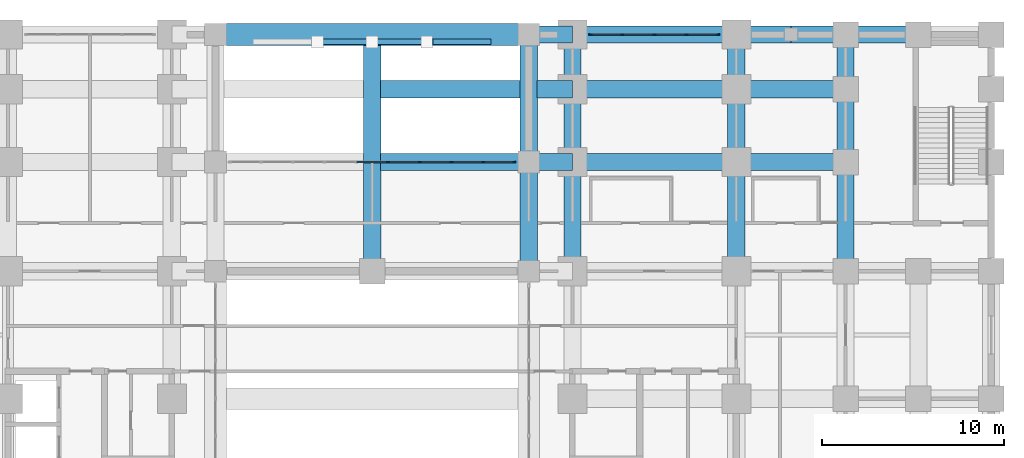
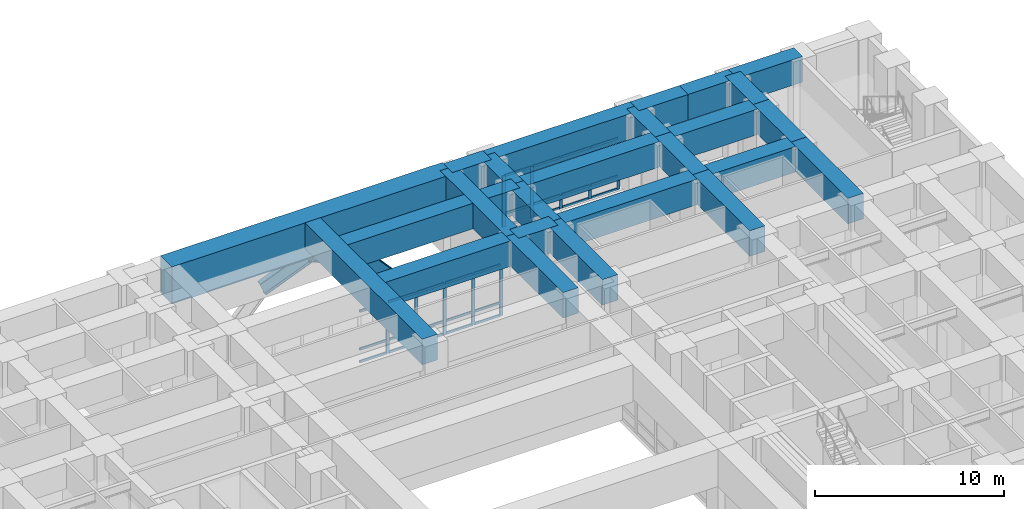
# One storey, part 8 of 24: 40 members, 26 beams, 2 elements without a shape of their own.
"""IFC4 building model written with IfcOpenShell, lengths in metres."""

from ifc_helpers import new_model, si_unit, direction, frame, origin, origin_2d, place, context, subcontext, project, spatial, rectangle, i_section, extrude, material, material_profile, profile_set, type_object, element, aggregate, save


model = new_model("IFC4")

# Units and contexts
model_context = context("Model", 3, precision=1e-05, world=origin(), true_north=direction((0.0, 1.0)))
body_context = subcontext(model_context, "Body", "Model", "MODEL_VIEW")
ifc_project = project(units=[si_unit("LENGTHUNIT", "METRE"), si_unit("AREAUNIT", "SQUARE_METRE"), si_unit("VOLUMEUNIT", "CUBIC_METRE"), si_unit("PLANEANGLEUNIT", "RADIAN"), si_unit("MASSUNIT", "GRAM", prefix="KILO")], contexts=[model_context])

# Site, building, storey
site_placement = place(None, origin())
site = spatial("IfcSite", under=ifc_project, at=site_placement, CompositionType="ELEMENT")
building_placement = place(site_placement, origin())
building = spatial("IfcBuilding", under=site, at=building_placement, Name="Zulmaris Gate Convention Tower", CompositionType="ELEMENT")
storey_placement = place(building_placement, frame((0.0, 0.0, 16.320068359375)))
storey = spatial("IfcBuildingStorey", under=building, at=storey_placement, Name="L03", CompositionType="ELEMENT", Elevation=16.320068359375)

# Beams
ifc_material_1 = material(Name="Concrete C80/95", Category="concrete")
ifc_material_profile_1 = material_profile(ifc_material_1, rectangle(XDim=0.949951171875, YDim=1.64990234375, at=origin_2d()), Name="RC TRANSFER 950x1650")
ifc_profile_set_1 = profile_set([ifc_material_profile_1], Name="Concrete C80/95")
beam_type_1 = type_object("IfcBeamType", Name="BM-XFER1650", PredefinedType="BEAM", material=ifc_profile_set_1)
beam_1_placement = place(storey_placement, frame((8.60009765625, 29.0, 4.1650390625), z_axis=(1.0, 0.0, 0.0), x_axis=(0.0, 1.0, 0.0)))
element("IfcBeam", 1, at=beam_1_placement, inside=storey, type_object=beam_type_1, Name="L03 Beam XFRNGX-L03-+29.0-8", PredefinedType="BEAM", context=body_context, shape_type="SweptSolid", body=[
    extrude(rectangle(XDim=0.949951171875, YDim=1.64990234375, at=origin_2d()), origin(), (0.0, 0.0, 1.0), 2.39990234375),
])
beam_2_placement = place(storey_placement, frame((11.0, 29.0, 4.1650390625), z_axis=(1.0, 0.0, 0.0), x_axis=(0.0, 1.0, 0.0)))
element("IfcBeam", 2, at=beam_2_placement, inside=storey, type_object=beam_type_1, Name="L03 Beam XFRNGX-L03-+29.0-9", PredefinedType="BEAM", context=body_context, shape_type="SweptSolid", body=[
    extrude(rectangle(XDim=0.949951171875, YDim=1.64990234375, at=origin_2d()), origin(), (0.0, 0.0, 1.0), 9.0),
])
for number, where, z_axis, x_axis, name in (
    (3, (20.0, 29.0, 4.1650390625), (1.0, 0.0, 0.0), (0.0, 1.0, 0.0), "L03 Beam XFRNGX-L03-+29.0-10"),
    (4, (23.0, 29.0, 4.1650390625), (1.0, 0.0, 0.0), (0.0, 1.0, 0.0), "L03 Beam XFRNGX-L03-+29.0-11"),
):
    element("IfcBeam", number, at=place(storey_placement, frame(where, z_axis=z_axis, x_axis=x_axis)), inside=storey, type_object=beam_type_1, Name=name, PredefinedType="BEAM", context=body_context, shape_type="SweptSolid", body=[
        extrude(rectangle(XDim=0.949951171875, YDim=1.64990234375, at=origin_2d()), origin(), (0.0, 0.0, 1.0), 3.0),
    ])
beam_3_placement = place(storey_placement, frame((26.0, 29.0, 4.1650390625), z_axis=(1.0, 0.0, 0.0), x_axis=(0.0, 1.0, 0.0)))
element("IfcBeam", 5, at=beam_3_placement, inside=storey, type_object=beam_type_1, Name="L03 Beam XFRNGX-L03-+29.0-12", PredefinedType="BEAM", context=body_context, shape_type="SweptSolid", body=[
    extrude(rectangle(XDim=0.949951171875, YDim=1.64990234375, at=origin_2d()), origin(), (0.0, 0.0, 1.0), 4.0),
])
beam_4_placement = place(storey_placement, frame((0.0, 16.0, 4.1650390625), z_axis=(0.0, 1.0, 0.0), x_axis=(-1.0, 0.0, 0.0)))
element("IfcBeam", 6, at=beam_4_placement, inside=storey, type_object=beam_type_1, Name="L03 Beam XFSPY-L03-+0.0-2", PredefinedType="BEAM", context=body_context, shape_type="SweptSolid", body=[
    extrude(rectangle(XDim=0.949951171875, YDim=1.64990234375, at=origin_2d()), origin(), (0.0, 0.0, 1.0), 12.412109375),
])
beam_5_placement = place(storey_placement, frame((8.60009765625, 16.0, 4.1650390625), z_axis=(0.0, 1.0, 0.0), x_axis=(-1.0, 0.0, 0.0)))
element("IfcBeam", 7, at=beam_5_placement, inside=storey, type_object=beam_type_1, Name="L03 Beam XFSPY-L03-+8.6-4", PredefinedType="BEAM", context=body_context, shape_type="SweptSolid", body=[
    extrude(rectangle(XDim=0.949951171875, YDim=1.64990234375, at=origin_2d()), origin(), (0.0, 0.0, 1.0), 6.0),
])
beam_6_placement = place(storey_placement, frame((8.60009765625, 22.0, 4.1650390625), z_axis=(0.0, 1.0, 0.0), x_axis=(-1.0, 0.0, 0.0)))
element("IfcBeam", 8, at=beam_6_placement, inside=storey, type_object=beam_type_1, Name="L03 Beam XFSPY-L03-+8.6-5", PredefinedType="BEAM", context=body_context, shape_type="SweptSolid", body=[
    extrude(rectangle(XDim=0.949951171875, YDim=1.64990234375, at=origin_2d()), origin(), (0.0, 0.0, 1.0), 7.0),
])
beam_7_placement = place(storey_placement, frame((11.0, 16.0, 4.1650390625), z_axis=(0.0, 1.0, 0.0), x_axis=(-1.0, 0.0, 0.0)))
element("IfcBeam", 9, at=beam_7_placement, inside=storey, type_object=beam_type_1, Name="L03 Beam XFSPY-L03-+11.0-8", PredefinedType="BEAM", context=body_context, shape_type="SweptSolid", body=[
    extrude(rectangle(XDim=0.949951171875, YDim=1.64990234375, at=origin_2d()), origin(), (0.0, 0.0, 1.0), 6.0),
])
beam_8_placement = place(storey_placement, frame((11.0, 22.0, 4.1650390625), z_axis=(0.0, 1.0, 0.0), x_axis=(-1.0, 0.0, 0.0)))
element("IfcBeam", 10, at=beam_8_placement, inside=storey, type_object=beam_type_1, Name="L03 Beam XFSPY-L03-+11.0-9", PredefinedType="BEAM", context=body_context, shape_type="SweptSolid", body=[
    extrude(rectangle(XDim=0.949951171875, YDim=1.64990234375, at=origin_2d()), origin(), (0.0, 0.0, 1.0), 4.0),
])
beam_9_placement = place(storey_placement, frame((11.0, 26.0, 4.1650390625), z_axis=(0.0, 1.0, 0.0), x_axis=(-1.0, 0.0, 0.0)))
element("IfcBeam", 11, at=beam_9_placement, inside=storey, type_object=beam_type_1, Name="L03 Beam XFSPY-L03-+11.0-10", PredefinedType="BEAM", context=body_context, shape_type="SweptSolid", body=[
    extrude(rectangle(XDim=0.949951171875, YDim=1.64990234375, at=origin_2d()), origin(), (0.0, 0.0, 1.0), 3.0),
])
beam_10_placement = place(storey_placement, frame((20.0, 16.0, 4.1650390625), z_axis=(0.0, 1.0, 0.0), x_axis=(-1.0, 0.0, 0.0)))
element("IfcBeam", 12, at=beam_10_placement, inside=storey, type_object=beam_type_1, Name="L03 Beam XFSPY-L03-+20.0-8", PredefinedType="BEAM", context=body_context, shape_type="SweptSolid", body=[
    extrude(rectangle(XDim=0.949951171875, YDim=1.64990234375, at=origin_2d()), origin(), (0.0, 0.0, 1.0), 6.0),
])
beam_11_placement = place(storey_placement, frame((20.0, 22.0, 4.1650390625), z_axis=(0.0, 1.0, 0.0), x_axis=(-1.0, 0.0, 0.0)))
element("IfcBeam", 13, at=beam_11_placement, inside=storey, type_object=beam_type_1, Name="L03 Beam XFSPY-L03-+20.0-9", PredefinedType="BEAM", context=body_context, shape_type="SweptSolid", body=[
    extrude(rectangle(XDim=0.949951171875, YDim=1.64990234375, at=origin_2d()), origin(), (0.0, 0.0, 1.0), 4.0),
])
beam_12_placement = place(storey_placement, frame((20.0, 26.0, 4.1650390625), z_axis=(0.0, 1.0, 0.0), x_axis=(-1.0, 0.0, 0.0)))
element("IfcBeam", 14, at=beam_12_placement, inside=storey, type_object=beam_type_1, Name="L03 Beam XFSPY-L03-+20.0-10", PredefinedType="BEAM", context=body_context, shape_type="SweptSolid", body=[
    extrude(rectangle(XDim=0.949951171875, YDim=1.64990234375, at=origin_2d()), origin(), (0.0, 0.0, 1.0), 3.0),
])
beam_13_placement = place(storey_placement, frame((26.0, 16.0, 4.1650390625), z_axis=(0.0, 1.0, 0.0), x_axis=(-1.0, 0.0, 0.0)))
element("IfcBeam", 15, at=beam_13_placement, inside=storey, type_object=beam_type_1, Name="L03 Beam XFSPY-L03-+26.0-8", PredefinedType="BEAM", context=body_context, shape_type="SweptSolid", body=[
    extrude(rectangle(XDim=0.949951171875, YDim=1.64990234375, at=origin_2d()), origin(), (0.0, 0.0, 1.0), 6.0),
])
beam_14_placement = place(storey_placement, frame((26.0, 22.0, 4.1650390625), z_axis=(0.0, 1.0, 0.0), x_axis=(-1.0, 0.0, 0.0)))
element("IfcBeam", 16, at=beam_14_placement, inside=storey, type_object=beam_type_1, Name="L03 Beam XFSPY-L03-+26.0-9", PredefinedType="BEAM", context=body_context, shape_type="SweptSolid", body=[
    extrude(rectangle(XDim=0.949951171875, YDim=1.64990234375, at=origin_2d()), origin(), (0.0, 0.0, 1.0), 4.0),
])
beam_15_placement = place(storey_placement, frame((26.0, 26.0, 4.1650390625), z_axis=(0.0, 1.0, 0.0), x_axis=(-1.0, 0.0, 0.0)))
element("IfcBeam", 17, at=beam_15_placement, inside=storey, type_object=beam_type_1, Name="L03 Beam XFSPY-L03-+26.0-10", PredefinedType="BEAM", context=body_context, shape_type="SweptSolid", body=[
    extrude(rectangle(XDim=0.949951171875, YDim=1.64990234375, at=origin_2d()), origin(), (0.0, 0.0, 1.0), 3.0),
])
beam_16_placement = place(storey_placement, frame((0.462890625, 22.0, 4.1650390625), z_axis=(1.0, 0.0, 0.0), x_axis=(0.0, 1.0, 0.0)))
element("IfcBeam", 18, at=beam_16_placement, inside=storey, type_object=beam_type_1, Name="L03 Beam XFSPX-L03-+22.0-7", PredefinedType="BEAM", context=body_context, shape_type="SweptSolid", body=[
    extrude(rectangle(XDim=0.949951171875, YDim=1.64990234375, at=origin_2d()), origin(), (0.0, 0.0, 1.0), 8.13720703125),
])
beam_17_placement = place(storey_placement, frame((8.60009765625, 22.0, 4.1650390625), z_axis=(1.0, 0.0, 0.0), x_axis=(0.0, 1.0, 0.0)))
element("IfcBeam", 19, at=beam_17_placement, inside=storey, type_object=beam_type_1, Name="L03 Beam XFSPX-L03-+22.0-8", PredefinedType="BEAM", context=body_context, shape_type="SweptSolid", body=[
    extrude(rectangle(XDim=0.949951171875, YDim=1.64990234375, at=origin_2d()), origin(), (0.0, 0.0, 1.0), 2.39990234375),
])
beam_18_placement = place(storey_placement, frame((11.0, 22.0, 4.1650390625), z_axis=(1.0, 0.0, 0.0), x_axis=(0.0, 1.0, 0.0)))
element("IfcBeam", 20, at=beam_18_placement, inside=storey, type_object=beam_type_1, Name="L03 Beam XFSPX-L03-+22.0-9", PredefinedType="BEAM", context=body_context, shape_type="SweptSolid", body=[
    extrude(rectangle(XDim=0.949951171875, YDim=1.64990234375, at=origin_2d()), origin(), (0.0, 0.0, 1.0), 9.0),
])
beam_19_placement = place(storey_placement, frame((20.0, 22.0, 4.1650390625), z_axis=(1.0, 0.0, 0.0), x_axis=(0.0, 1.0, 0.0)))
element("IfcBeam", 21, at=beam_19_placement, inside=storey, type_object=beam_type_1, Name="L03 Beam XFSPX-L03-+22.0-10", PredefinedType="BEAM", context=body_context, shape_type="SweptSolid", body=[
    extrude(rectangle(XDim=0.949951171875, YDim=1.64990234375, at=origin_2d()), origin(), (0.0, 0.0, 1.0), 6.0),
])
beam_20_placement = place(storey_placement, frame((0.462890625, 26.0, 4.1650390625), z_axis=(1.0, 0.0, 0.0), x_axis=(0.0, 1.0, 0.0)))
element("IfcBeam", 22, at=beam_20_placement, inside=storey, type_object=beam_type_1, Name="L03 Beam XFSPX-L03-+26.0-7", PredefinedType="BEAM", context=body_context, shape_type="SweptSolid", body=[
    extrude(rectangle(XDim=0.949951171875, YDim=1.64990234375, at=origin_2d()), origin(), (0.0, 0.0, 1.0), 7.674072265625),
])
beam_21_placement = place(storey_placement, frame((9.06298828125, 26.0, 4.1650390625), z_axis=(1.0, 0.0, 0.0), x_axis=(0.0, 1.0, 0.0)))
element("IfcBeam", 23, at=beam_21_placement, inside=storey, type_object=beam_type_1, Name="L03 Beam XFSPX-L03-+26.0-8", PredefinedType="BEAM", context=body_context, shape_type="SweptSolid", body=[
    extrude(rectangle(XDim=0.949951171875, YDim=1.64990234375, at=origin_2d()), origin(), (0.0, 0.0, 1.0), 1.93701171875),
])
beam_22_placement = place(storey_placement, frame((11.0, 26.0, 4.1650390625), z_axis=(1.0, 0.0, 0.0), x_axis=(0.0, 1.0, 0.0)))
element("IfcBeam", 24, at=beam_22_placement, inside=storey, type_object=beam_type_1, Name="L03 Beam XFSPX-L03-+26.0-9", PredefinedType="BEAM", context=body_context, shape_type="SweptSolid", body=[
    extrude(rectangle(XDim=0.949951171875, YDim=1.64990234375, at=origin_2d()), origin(), (0.0, 0.0, 1.0), 9.0),
])
beam_23_placement = place(storey_placement, frame((20.0, 26.0, 4.1650390625), z_axis=(1.0, 0.0, 0.0), x_axis=(0.0, 1.0, 0.0)))
element("IfcBeam", 25, at=beam_23_placement, inside=storey, type_object=beam_type_1, Name="L03 Beam XFSPX-L03-+26.0-10", PredefinedType="BEAM", context=body_context, shape_type="SweptSolid", body=[
    extrude(rectangle(XDim=0.949951171875, YDim=1.64990234375, at=origin_2d()), origin(), (0.0, 0.0, 1.0), 6.0),
])
ifc_material_profile_2 = material_profile(ifc_material_1, rectangle(XDim=1.199951171875, YDim=2.39990234375, at=origin_2d()), Name="RC TRANSFER 1200x2400")
ifc_profile_set_2 = profile_set([ifc_material_profile_2], Name="Concrete C80/95")
beam_type_2 = type_object("IfcBeamType", Name="BM-XFER2400", PredefinedType="BEAM", material=ifc_profile_set_2)
beam_24_placement = place(storey_placement, frame((-8.60009765625, 29.0, 3.7900390625), z_axis=(1.0, 0.0, 0.0), x_axis=(0.0, 1.0, 0.0)))
element("IfcBeam", 26, at=beam_24_placement, inside=storey, type_object=beam_type_2, Name="L03 Beam XFRNGX-L03-+29.0-7", PredefinedType="BEAM", context=body_context, shape_type="SweptSolid", body=[
    extrude(rectangle(XDim=1.199951171875, YDim=2.39990234375, at=origin_2d()), origin(), (0.0, 0.0, 1.0), 17.2001953125),
])

# Members
ifc_material_2 = material(Name="Steel S460", Category="steel")
ifc_material_profile_3 = material_profile(ifc_material_2, i_section(OverallWidth=0.302001953125, OverallDepth=0.909912109375, WebThickness=0.02099609375, FlangeThickness=0.0400390625, FilletRadius=0.030029296875, at=origin_2d()), Name="HEM 900")
ifc_profile_set_3 = profile_set([ifc_material_profile_3], Name="Steel S460")
member_type_1 = type_object("IfcMemberType", Name="CH-HEM900", PredefinedType="CHORD", material=ifc_profile_set_3)
for number, where, z_axis, x_axis, name in (
    (27, (-3.0, 28.60009765625, 1.530029296875), (0.928481901832, 0.0, 0.371377648723), (0.0, 1.0, 0.0), "Pishtaq Arch Rib N-3"),
    (28, (0.0, 28.60009765625, 2.72998046875), (0.928481901832, 0.0, -0.371377648723), (0.0, 1.0, 0.0), "Pishtaq Arch Rib N-4"),
):
    element("IfcMember", number, at=place(storey_placement, frame(where, z_axis=z_axis, x_axis=x_axis)), inside=storey, type_object=member_type_1, Name=name, PredefinedType="CHORD", context=body_context, shape_type="SweptSolid", body=[
        extrude(i_section(OverallWidth=0.302001953125, OverallDepth=0.909912109375, WebThickness=0.02099609375, FlangeThickness=0.0400390625, FilletRadius=0.030029296875, at=origin_2d()), origin(), (0.0, 0.0, 1.0), 3.231201171875),
    ])
member_1_placement = place(storey_placement, frame((3.0, 28.60009765625, 1.530029296875), z_axis=(0.669531801029, 0.0, -0.742783391986), x_axis=(0.0, 1.0, 0.0)))
element("IfcMember", 29, at=member_1_placement, inside=storey, type_object=member_type_1, Name="Pishtaq Arch Rib N-5", PredefinedType="CHORD", context=body_context, shape_type="SweptSolid", body=[
    extrude(i_section(OverallWidth=0.302001953125, OverallDepth=0.909912109375, WebThickness=0.02099609375, FlangeThickness=0.0400390625, FilletRadius=0.030029296875, at=origin_2d()), origin(), (0.0, 0.0, 1.0), 4.779296875),
])

# Curtain wall, members
ifc_material_3 = material(Name="Anodised Aluminium", Category="aluminium")
curtain_wall_type = type_object("IfcCurtainWallType", Name="CW-03", PredefinedType="NOTDEFINED", material=ifc_material_3)
curtain_wall_1_placement = place(storey_placement, origin())
curtain_wall_1 = element("IfcCurtainWall", 30, at=curtain_wall_1_placement, inside=storey, type_object=curtain_wall_type, Name="CW-03 CW03-L03-N11_0", PredefinedType="NOTDEFINED")
ifc_material_profile_4 = material_profile(ifc_material_3, rectangle(XDim=0.074951171875, YDim=0.179931640625, at=origin_2d()), Name="ALU MULLION 75x180")
ifc_profile_set_4 = profile_set([ifc_material_profile_4], Name="Anodised Aluminium")
member_type_2 = type_object("IfcMemberType", Name="CW-03-MULL", PredefinedType="MULLION", material=ifc_profile_set_4)
member_2_placement = place(storey_placement, frame((19.00244140625, 29.0, 0.0), z_axis=(0.0, 0.0, 1.0), x_axis=(0.0, -1.0, 0.0)))
member_2 = element("IfcMember", 31, at=member_2_placement, type_object=member_type_2, Name="CW-03 mullion 1", PredefinedType="MULLION", context=body_context, shape_type="SweptSolid", body=[
    extrude(rectangle(XDim=0.074951171875, YDim=0.179931640625, at=origin_2d()), origin(), (0.0, 0.0, 1.0), 3.33203125),
])
member_3_placement = place(storey_placement, frame((17.27001953125, 29.0, 0.0), z_axis=(0.0, 0.0, 1.0), x_axis=(0.0, -1.0, 0.0)))
member_3 = element("IfcMember", 32, at=member_3_placement, type_object=member_type_2, Name="CW-03 mullion 2", PredefinedType="MULLION", context=body_context, shape_type="SweptSolid", body=[
    extrude(rectangle(XDim=0.074951171875, YDim=0.179931640625, at=origin_2d()), origin(), (0.0, 0.0, 1.0), 3.33203125),
])
member_4_placement = place(storey_placement, frame((15.5, 29.0, 0.0), z_axis=(0.0, 0.0, 1.0), x_axis=(0.0, -1.0, 0.0)))
member_4 = element("IfcMember", 33, at=member_4_placement, type_object=member_type_2, Name="CW-03 mullion 3", PredefinedType="MULLION", context=body_context, shape_type="SweptSolid", body=[
    extrude(rectangle(XDim=0.074951171875, YDim=0.179931640625, at=origin_2d()), origin(), (0.0, 0.0, 1.0), 3.33203125),
])
member_5_placement = place(storey_placement, frame((13.72998046875, 29.0, 0.0), z_axis=(0.0, 0.0, 1.0), x_axis=(0.0, -1.0, 0.0)))
member_5 = element("IfcMember", 34, at=member_5_placement, type_object=member_type_2, Name="CW-03 mullion 4", PredefinedType="MULLION", context=body_context, shape_type="SweptSolid", body=[
    extrude(rectangle(XDim=0.074951171875, YDim=0.179931640625, at=origin_2d()), origin(), (0.0, 0.0, 1.0), 3.33203125),
])
member_6_placement = place(storey_placement, frame((11.99755859375, 29.0, 0.0), z_axis=(0.0, 0.0, 1.0), x_axis=(0.0, -1.0, 0.0)))
member_6 = element("IfcMember", 35, at=member_6_placement, type_object=member_type_2, Name="CW-03 mullion 5", PredefinedType="MULLION", context=body_context, shape_type="SweptSolid", body=[
    extrude(rectangle(XDim=0.074951171875, YDim=0.179931640625, at=origin_2d()), origin(), (0.0, 0.0, 1.0), 3.33203125),
])

curtain_wall_2_placement = place(storey_placement, origin())
curtain_wall_2 = element("IfcCurtainWall", 36, at=curtain_wall_2_placement, inside=storey, type_object=curtain_wall_type, Name="CW-03 CW03-L03-NARCH_0", PredefinedType="NOTDEFINED")
member_7_placement = place(storey_placement, frame((7.802490234375, 22.0, 0.0), z_axis=(0.0, 0.0, 1.0), x_axis=(0.0, -1.0, 0.0)))
member_7 = element("IfcMember", 37, at=member_7_placement, type_object=member_type_2, Name="CW-03 mullion 1", PredefinedType="MULLION", context=body_context, shape_type="SweptSolid", body=[
    extrude(rectangle(XDim=0.074951171875, YDim=0.179931640625, at=origin_2d()), origin(), (0.0, 0.0, 1.0), 3.33203125),
])
member_8_placement = place(storey_placement, frame((6.09765625, 22.0, 0.0), z_axis=(0.0, 0.0, 1.0), x_axis=(0.0, -1.0, 0.0)))
member_8 = element("IfcMember", 38, at=member_8_placement, type_object=member_type_2, Name="CW-03 mullion 2", PredefinedType="MULLION", context=body_context, shape_type="SweptSolid", body=[
    extrude(rectangle(XDim=0.074951171875, YDim=0.179931640625, at=origin_2d()), origin(), (0.0, 0.0, 1.0), 3.33203125),
])
member_9_placement = place(storey_placement, frame((4.35546875, 22.0, 0.0), z_axis=(0.0, 0.0, 1.0), x_axis=(0.0, -1.0, 0.0)))
member_9 = element("IfcMember", 39, at=member_9_placement, type_object=member_type_2, Name="CW-03 mullion 3", PredefinedType="MULLION", context=body_context, shape_type="SweptSolid", body=[
    extrude(rectangle(XDim=0.074951171875, YDim=0.179931640625, at=origin_2d()), origin(), (0.0, 0.0, 1.0), 3.33203125),
])
member_10_placement = place(storey_placement, frame((2.61328125, 22.0, 0.0), z_axis=(0.0, 0.0, 1.0), x_axis=(0.0, -1.0, 0.0)))
member_10 = element("IfcMember", 40, at=member_10_placement, type_object=member_type_2, Name="CW-03 mullion 4", PredefinedType="MULLION", context=body_context, shape_type="SweptSolid", body=[
    extrude(rectangle(XDim=0.074951171875, YDim=0.179931640625, at=origin_2d()), origin(), (0.0, 0.0, 1.0), 3.33203125),
])
member_11_placement = place(storey_placement, frame((0.87109375, 22.0, 0.0), z_axis=(0.0, 0.0, 1.0), x_axis=(0.0, -1.0, 0.0)))
member_11 = element("IfcMember", 41, at=member_11_placement, type_object=member_type_2, Name="CW-03 mullion 5", PredefinedType="MULLION", context=body_context, shape_type="SweptSolid", body=[
    extrude(rectangle(XDim=0.074951171875, YDim=0.179931640625, at=origin_2d()), origin(), (0.0, 0.0, 1.0), 3.33203125),
])

# Member
ifc_material_profile_5 = material_profile(ifc_material_3, rectangle(XDim=0.074951171875, YDim=0.14990234375, at=origin_2d()), Name="ALU TRANSOM 75x150")
ifc_profile_set_5 = profile_set([ifc_material_profile_5], Name="Anodised Aluminium")
member_type_3 = type_object("IfcMemberType", Name="CW-03-TRAN", PredefinedType="USERDEFINED", material=ifc_profile_set_5)
member_12_placement = place(storey_placement, frame((18.965087890625, 29.0, 0.03759765625), z_axis=(-1.0, 0.0, 0.0), x_axis=(0.0, -1.0, 0.0)))
member_12 = element("IfcMember", 42, at=member_12_placement, type_object=member_type_3, Name="CW-03 transom 1.1", ObjectType="TRANSOM", PredefinedType="USERDEFINED", context=body_context, shape_type="SweptSolid", body=[
    extrude(rectangle(XDim=0.074951171875, YDim=0.14990234375, at=origin_2d()), origin(), (0.0, 0.0, 1.0), 1.657470703125),
])

member_13_placement = place(storey_placement, frame((18.965087890625, 29.0, 0.85009765625), z_axis=(-1.0, 0.0, 0.0), x_axis=(0.0, -1.0, 0.0)))
member_13 = element("IfcMember", 43, at=member_13_placement, type_object=member_type_3, Name="CW-03 transom 1.2", ObjectType="TRANSOM", PredefinedType="USERDEFINED", context=body_context, shape_type="SweptSolid", body=[
    extrude(rectangle(XDim=0.074951171875, YDim=0.14990234375, at=origin_2d()), origin(), (0.0, 0.0, 1.0), 1.657470703125),
])

member_14_placement = place(storey_placement, frame((18.965087890625, 29.0, 3.29443359375), z_axis=(-1.0, 0.0, 0.0), x_axis=(0.0, -1.0, 0.0)))
member_14 = element("IfcMember", 44, at=member_14_placement, type_object=member_type_3, Name="CW-03 transom 1.3", ObjectType="TRANSOM", PredefinedType="USERDEFINED", context=body_context, shape_type="SweptSolid", body=[
    extrude(rectangle(XDim=0.074951171875, YDim=0.14990234375, at=origin_2d()), origin(), (0.0, 0.0, 1.0), 1.657470703125),
])

member_15_placement = place(storey_placement, frame((17.232421875, 29.0, 0.03759765625), z_axis=(-1.0, 0.0, 0.0), x_axis=(0.0, -1.0, 0.0)))
member_15 = element("IfcMember", 45, at=member_15_placement, type_object=member_type_3, Name="CW-03 transom 2.1", ObjectType="TRANSOM", PredefinedType="USERDEFINED", context=body_context, shape_type="SweptSolid", body=[
    extrude(rectangle(XDim=0.074951171875, YDim=0.14990234375, at=origin_2d()), origin(), (0.0, 0.0, 1.0), 1.69482421875),
])

member_16_placement = place(storey_placement, frame((17.232421875, 29.0, 0.85009765625), z_axis=(-1.0, 0.0, 0.0), x_axis=(0.0, -1.0, 0.0)))
member_16 = element("IfcMember", 46, at=member_16_placement, type_object=member_type_3, Name="CW-03 transom 2.2", ObjectType="TRANSOM", PredefinedType="USERDEFINED", context=body_context, shape_type="SweptSolid", body=[
    extrude(rectangle(XDim=0.074951171875, YDim=0.14990234375, at=origin_2d()), origin(), (0.0, 0.0, 1.0), 1.69482421875),
])

member_17_placement = place(storey_placement, frame((17.232421875, 29.0, 3.29443359375), z_axis=(-1.0, 0.0, 0.0), x_axis=(0.0, -1.0, 0.0)))
member_17 = element("IfcMember", 47, at=member_17_placement, type_object=member_type_3, Name="CW-03 transom 2.3", ObjectType="TRANSOM", PredefinedType="USERDEFINED", context=body_context, shape_type="SweptSolid", body=[
    extrude(rectangle(XDim=0.074951171875, YDim=0.14990234375, at=origin_2d()), origin(), (0.0, 0.0, 1.0), 1.69482421875),
])

member_18_placement = place(storey_placement, frame((15.46240234375, 29.0, 0.03759765625), z_axis=(-1.0, 0.0, 0.0), x_axis=(0.0, -1.0, 0.0)))
member_18 = element("IfcMember", 48, at=member_18_placement, type_object=member_type_3, Name="CW-03 transom 3.1", ObjectType="TRANSOM", PredefinedType="USERDEFINED", context=body_context, shape_type="SweptSolid", body=[
    extrude(rectangle(XDim=0.074951171875, YDim=0.14990234375, at=origin_2d()), origin(), (0.0, 0.0, 1.0), 1.69482421875),
])

member_19_placement = place(storey_placement, frame((15.46240234375, 29.0, 0.85009765625), z_axis=(-1.0, 0.0, 0.0), x_axis=(0.0, -1.0, 0.0)))
member_19 = element("IfcMember", 49, at=member_19_placement, type_object=member_type_3, Name="CW-03 transom 3.2", ObjectType="TRANSOM", PredefinedType="USERDEFINED", context=body_context, shape_type="SweptSolid", body=[
    extrude(rectangle(XDim=0.074951171875, YDim=0.14990234375, at=origin_2d()), origin(), (0.0, 0.0, 1.0), 1.69482421875),
])

member_20_placement = place(storey_placement, frame((15.46240234375, 29.0, 3.29443359375), z_axis=(-1.0, 0.0, 0.0), x_axis=(0.0, -1.0, 0.0)))
member_20 = element("IfcMember", 50, at=member_20_placement, type_object=member_type_3, Name="CW-03 transom 3.3", ObjectType="TRANSOM", PredefinedType="USERDEFINED", context=body_context, shape_type="SweptSolid", body=[
    extrude(rectangle(XDim=0.074951171875, YDim=0.14990234375, at=origin_2d()), origin(), (0.0, 0.0, 1.0), 1.69482421875),
])

member_21_placement = place(storey_placement, frame((13.6923828125, 29.0, 0.03759765625), z_axis=(-1.0, 0.0, 0.0), x_axis=(0.0, -1.0, 0.0)))
member_21 = element("IfcMember", 51, at=member_21_placement, type_object=member_type_3, Name="CW-03 transom 4.1", ObjectType="TRANSOM", PredefinedType="USERDEFINED", context=body_context, shape_type="SweptSolid", body=[
    extrude(rectangle(XDim=0.074951171875, YDim=0.14990234375, at=origin_2d()), origin(), (0.0, 0.0, 1.0), 1.657470703125),
])

member_22_placement = place(storey_placement, frame((13.6923828125, 29.0, 0.85009765625), z_axis=(-1.0, 0.0, 0.0), x_axis=(0.0, -1.0, 0.0)))
member_22 = element("IfcMember", 52, at=member_22_placement, type_object=member_type_3, Name="CW-03 transom 4.2", ObjectType="TRANSOM", PredefinedType="USERDEFINED", context=body_context, shape_type="SweptSolid", body=[
    extrude(rectangle(XDim=0.074951171875, YDim=0.14990234375, at=origin_2d()), origin(), (0.0, 0.0, 1.0), 1.657470703125),
])

member_23_placement = place(storey_placement, frame((13.6923828125, 29.0, 3.29443359375), z_axis=(-1.0, 0.0, 0.0), x_axis=(0.0, -1.0, 0.0)))
member_23 = element("IfcMember", 53, at=member_23_placement, type_object=member_type_3, Name="CW-03 transom 4.3", ObjectType="TRANSOM", PredefinedType="USERDEFINED", context=body_context, shape_type="SweptSolid", body=[
    extrude(rectangle(XDim=0.074951171875, YDim=0.14990234375, at=origin_2d()), origin(), (0.0, 0.0, 1.0), 1.657470703125),
])

aggregate(curtain_wall_1, [member_2, member_3, member_4, member_5, member_6, member_12, member_13, member_14, member_15, member_16, member_17, member_18, member_19, member_20, member_21, member_22, member_23])

member_24_placement = place(storey_placement, frame((7.764892578125, 22.0, 0.03759765625), z_axis=(-1.0, 0.0, 0.0), x_axis=(0.0, -1.0, 0.0)))
member_24 = element("IfcMember", 54, at=member_24_placement, type_object=member_type_3, Name="CW-03 transom 1.1", ObjectType="TRANSOM", PredefinedType="USERDEFINED", context=body_context, shape_type="SweptSolid", body=[
    extrude(rectangle(XDim=0.074951171875, YDim=0.14990234375, at=origin_2d()), origin(), (0.0, 0.0, 1.0), 1.629638671875),
])

member_25_placement = place(storey_placement, frame((7.764892578125, 22.0, 0.85009765625), z_axis=(-1.0, 0.0, 0.0), x_axis=(0.0, -1.0, 0.0)))
member_25 = element("IfcMember", 55, at=member_25_placement, type_object=member_type_3, Name="CW-03 transom 1.2", ObjectType="TRANSOM", PredefinedType="USERDEFINED", context=body_context, shape_type="SweptSolid", body=[
    extrude(rectangle(XDim=0.074951171875, YDim=0.14990234375, at=origin_2d()), origin(), (0.0, 0.0, 1.0), 1.629638671875),
])

member_26_placement = place(storey_placement, frame((7.764892578125, 22.0, 3.29443359375), z_axis=(-1.0, 0.0, 0.0), x_axis=(0.0, -1.0, 0.0)))
member_26 = element("IfcMember", 56, at=member_26_placement, type_object=member_type_3, Name="CW-03 transom 1.3", ObjectType="TRANSOM", PredefinedType="USERDEFINED", context=body_context, shape_type="SweptSolid", body=[
    extrude(rectangle(XDim=0.074951171875, YDim=0.14990234375, at=origin_2d()), origin(), (0.0, 0.0, 1.0), 1.629638671875),
])

member_27_placement = place(storey_placement, frame((6.060302734375, 22.0, 0.03759765625), z_axis=(-1.0, 0.0, 0.0), x_axis=(0.0, -1.0, 0.0)))
member_27 = element("IfcMember", 57, at=member_27_placement, type_object=member_type_3, Name="CW-03 transom 2.1", ObjectType="TRANSOM", PredefinedType="USERDEFINED", context=body_context, shape_type="SweptSolid", body=[
    extrude(rectangle(XDim=0.074951171875, YDim=0.14990234375, at=origin_2d()), origin(), (0.0, 0.0, 1.0), 1.667236328125),
])

member_28_placement = place(storey_placement, frame((6.060302734375, 22.0, 0.85009765625), z_axis=(-1.0, 0.0, 0.0), x_axis=(0.0, -1.0, 0.0)))
member_28 = element("IfcMember", 58, at=member_28_placement, type_object=member_type_3, Name="CW-03 transom 2.2", ObjectType="TRANSOM", PredefinedType="USERDEFINED", context=body_context, shape_type="SweptSolid", body=[
    extrude(rectangle(XDim=0.074951171875, YDim=0.14990234375, at=origin_2d()), origin(), (0.0, 0.0, 1.0), 1.667236328125),
])

member_29_placement = place(storey_placement, frame((6.060302734375, 22.0, 3.29443359375), z_axis=(-1.0, 0.0, 0.0), x_axis=(0.0, -1.0, 0.0)))
member_29 = element("IfcMember", 59, at=member_29_placement, type_object=member_type_3, Name="CW-03 transom 2.3", ObjectType="TRANSOM", PredefinedType="USERDEFINED", context=body_context, shape_type="SweptSolid", body=[
    extrude(rectangle(XDim=0.074951171875, YDim=0.14990234375, at=origin_2d()), origin(), (0.0, 0.0, 1.0), 1.667236328125),
])

member_30_placement = place(storey_placement, frame((4.318115234375, 22.0, 0.03759765625), z_axis=(-1.0, 0.0, 0.0), x_axis=(0.0, -1.0, 0.0)))
member_30 = element("IfcMember", 60, at=member_30_placement, type_object=member_type_3, Name="CW-03 transom 3.1", ObjectType="TRANSOM", PredefinedType="USERDEFINED", context=body_context, shape_type="SweptSolid", body=[
    extrude(rectangle(XDim=0.074951171875, YDim=0.14990234375, at=origin_2d()), origin(), (0.0, 0.0, 1.0), 1.667236328125),
])

member_31_placement = place(storey_placement, frame((4.318115234375, 22.0, 0.85009765625), z_axis=(-1.0, 0.0, 0.0), x_axis=(0.0, -1.0, 0.0)))
member_31 = element("IfcMember", 61, at=member_31_placement, type_object=member_type_3, Name="CW-03 transom 3.2", ObjectType="TRANSOM", PredefinedType="USERDEFINED", context=body_context, shape_type="SweptSolid", body=[
    extrude(rectangle(XDim=0.074951171875, YDim=0.14990234375, at=origin_2d()), origin(), (0.0, 0.0, 1.0), 1.667236328125),
])

member_32_placement = place(storey_placement, frame((4.318115234375, 22.0, 3.29443359375), z_axis=(-1.0, 0.0, 0.0), x_axis=(0.0, -1.0, 0.0)))
member_32 = element("IfcMember", 62, at=member_32_placement, type_object=member_type_3, Name="CW-03 transom 3.3", ObjectType="TRANSOM", PredefinedType="USERDEFINED", context=body_context, shape_type="SweptSolid", body=[
    extrude(rectangle(XDim=0.074951171875, YDim=0.14990234375, at=origin_2d()), origin(), (0.0, 0.0, 1.0), 1.667236328125),
])

member_33_placement = place(storey_placement, frame((2.575927734375, 22.0, 0.03759765625), z_axis=(-1.0, 0.0, 0.0), x_axis=(0.0, -1.0, 0.0)))
member_33 = element("IfcMember", 63, at=member_33_placement, type_object=member_type_3, Name="CW-03 transom 4.1", ObjectType="TRANSOM", PredefinedType="USERDEFINED", context=body_context, shape_type="SweptSolid", body=[
    extrude(rectangle(XDim=0.074951171875, YDim=0.14990234375, at=origin_2d()), origin(), (0.0, 0.0, 1.0), 1.667236328125),
])

member_34_placement = place(storey_placement, frame((2.575927734375, 22.0, 0.85009765625), z_axis=(-1.0, 0.0, 0.0), x_axis=(0.0, -1.0, 0.0)))
member_34 = element("IfcMember", 64, at=member_34_placement, type_object=member_type_3, Name="CW-03 transom 4.2", ObjectType="TRANSOM", PredefinedType="USERDEFINED", context=body_context, shape_type="SweptSolid", body=[
    extrude(rectangle(XDim=0.074951171875, YDim=0.14990234375, at=origin_2d()), origin(), (0.0, 0.0, 1.0), 1.667236328125),
])

member_35_placement = place(storey_placement, frame((2.575927734375, 22.0, 3.29443359375), z_axis=(-1.0, 0.0, 0.0), x_axis=(0.0, -1.0, 0.0)))
member_35 = element("IfcMember", 65, at=member_35_placement, type_object=member_type_3, Name="CW-03 transom 4.3", ObjectType="TRANSOM", PredefinedType="USERDEFINED", context=body_context, shape_type="SweptSolid", body=[
    extrude(rectangle(XDim=0.074951171875, YDim=0.14990234375, at=origin_2d()), origin(), (0.0, 0.0, 1.0), 1.667236328125),
])

member_36_placement = place(storey_placement, frame((0.83349609375, 22.0, 0.03759765625), z_axis=(-1.0, 0.0, 0.0), x_axis=(0.0, -1.0, 0.0)))
member_36 = element("IfcMember", 66, at=member_36_placement, type_object=member_type_3, Name="CW-03 transom 5.1", ObjectType="TRANSOM", PredefinedType="USERDEFINED", context=body_context, shape_type="SweptSolid", body=[
    extrude(rectangle(XDim=0.074951171875, YDim=0.14990234375, at=origin_2d()), origin(), (0.0, 0.0, 1.0), 1.6669921875),
])

member_37_placement = place(storey_placement, frame((0.83349609375, 22.0, 0.85009765625), z_axis=(-1.0, 0.0, 0.0), x_axis=(0.0, -1.0, 0.0)))
member_37 = element("IfcMember", 67, at=member_37_placement, type_object=member_type_3, Name="CW-03 transom 5.2", ObjectType="TRANSOM", PredefinedType="USERDEFINED", context=body_context, shape_type="SweptSolid", body=[
    extrude(rectangle(XDim=0.074951171875, YDim=0.14990234375, at=origin_2d()), origin(), (0.0, 0.0, 1.0), 1.6669921875),
])

member_38_placement = place(storey_placement, frame((0.83349609375, 22.0, 3.29443359375), z_axis=(-1.0, 0.0, 0.0), x_axis=(0.0, -1.0, 0.0)))
member_38 = element("IfcMember", 68, at=member_38_placement, type_object=member_type_3, Name="CW-03 transom 5.3", ObjectType="TRANSOM", PredefinedType="USERDEFINED", context=body_context, shape_type="SweptSolid", body=[
    extrude(rectangle(XDim=0.074951171875, YDim=0.14990234375, at=origin_2d()), origin(), (0.0, 0.0, 1.0), 1.6669921875),
])

aggregate(curtain_wall_2, [member_7, member_8, member_9, member_10, member_11, member_24, member_25, member_26, member_27, member_28, member_29, member_30, member_31, member_32, member_33, member_34, member_35, member_36, member_37, member_38])

save(model, "model.ifc")
